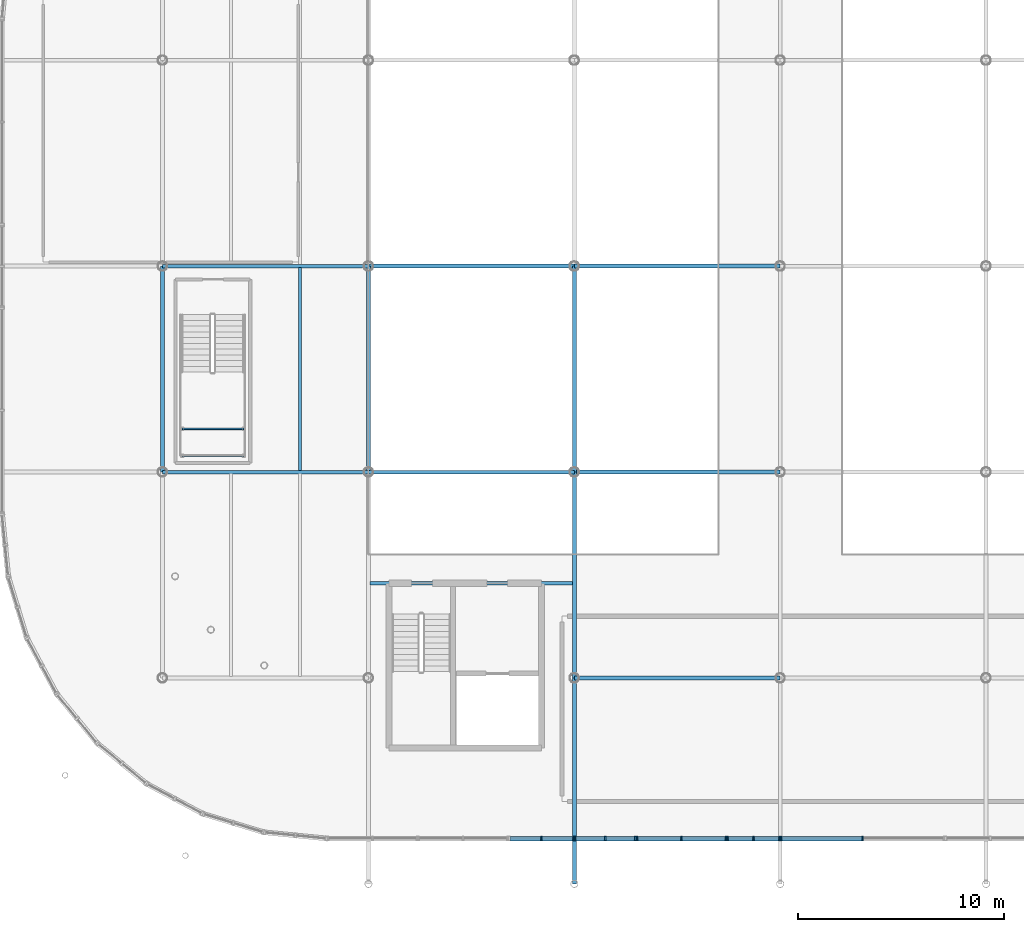
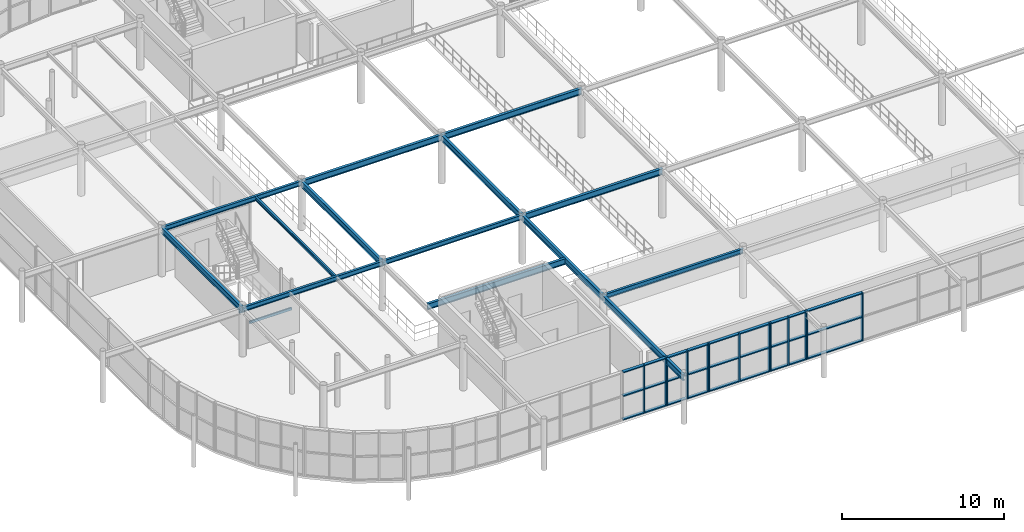
# One storey, part 44 of 98: 40 members, 16 beams, 5 elements without a shape of their own.
"""IFC4 building model written with IfcOpenShell, lengths in metres."""

from ifc_helpers import new_model, si_unit, derived_unit, direction, frame, origin, origin_2d_with_axis, place, context, subcontext, project, spatial, rectangle, hollow_rectangle, i_section, extrude, material, material_profile, profile_set, type_object, element, aggregate, save


model = new_model("IFC4")

# Units and contexts
model_context = context("Model", 3, precision=1e-05, world=origin(), true_north=direction((0.0, 1.0)))
body_context = subcontext(model_context, "Body", "Model", "MODEL_VIEW")
ifc_project = project(units=[si_unit("LENGTHUNIT", "METRE"), si_unit("AREAUNIT", "SQUARE_METRE"), si_unit("VOLUMEUNIT", "CUBIC_METRE"), si_unit("PLANEANGLEUNIT", "RADIAN"), si_unit("MASSUNIT", "GRAM", prefix="KILO"), derived_unit("THERMALTRANSMITTANCEUNIT", [(si_unit("POWERUNIT", "WATT"), 1), (si_unit("LENGTHUNIT", "METRE"), -2), (si_unit("THERMODYNAMICTEMPERATUREUNIT", "KELVIN"), -1)])], contexts=[model_context])

# Site, building, storey
site_placement = place(None, origin())
site = spatial("IfcSite", under=ifc_project, at=site_placement, CompositionType="ELEMENT")
building_placement = place(site_placement, origin())
building = spatial("IfcBuilding", under=site, at=building_placement, Name="Cinnabar Yard Market Hall", CompositionType="ELEMENT")
storey_placement = place(building_placement, frame((0.0, 0.0, 4.5)))
storey = spatial("IfcBuildingStorey", under=building, at=storey_placement, Name="L01", CompositionType="ELEMENT", Elevation=4.5)

# Beams
ifc_material_1 = material(Name="Steel Grade 300 (300 MPa)", Category="steel")
ifc_material_profile_1 = material_profile(ifc_material_1, i_section(OverallWidth=0.19091796875, OverallDepth=0.46044921875, WebThickness=0.010009765625, FlangeThickness=0.01611328125, FilletRadius=0.011474609375, at=origin_2d_with_axis()), Name="460UB82.1")
ifc_profile_set_1 = profile_set([ifc_material_profile_1], Name="Steel Grade 300 (300 MPa)")
beam_type_1 = type_object("IfcBeamType", Name="BM-B04", PredefinedType="BEAM", material=ifc_profile_set_1)
beam_1_placement = place(storey_placement, frame((96.0, 44.0, 3.419921875), z_axis=(1.0, 0.0, 0.0), x_axis=(0.0, 1.0, 0.0)))
element("IfcBeam", 1, at=beam_1_placement, inside=storey, type_object=beam_type_1, Name="L01 Gallery Girder X 00261", PredefinedType="BEAM", context=body_context, shape_type="SweptSolid", body=[
    extrude(i_section(OverallWidth=0.19091796875, OverallDepth=0.46044921875, WebThickness=0.010009765625, FlangeThickness=0.01611328125, FilletRadius=0.011474609375, at=origin_2d_with_axis()), origin(), (0.0, 0.0, 1.0), 10.0),
])
ifc_material_profile_2 = material_profile(ifc_material_1, i_section(OverallWidth=0.18994140625, OverallDepth=0.453857421875, WebThickness=0.008544921875, FlangeThickness=0.0126953125, FilletRadius=0.011474609375, at=origin_2d_with_axis()), Name="460UB67.1")
ifc_profile_set_2 = profile_set([ifc_material_profile_2], Name="Steel Grade 300 (300 MPa)")
beam_type_2 = type_object("IfcBeamType", Name="BM-B05", PredefinedType="BEAM", material=ifc_profile_set_2)
beam_2_placement = place(storey_placement, frame((86.080078125, 28.60009765625, 3.423095703125), z_axis=(1.0, 0.0, 0.0), x_axis=(0.0, 1.0, 0.0)))
element("IfcBeam", 2, at=beam_2_placement, inside=storey, type_object=beam_type_2, Name="L01 Core Trimmer Girder 00136", PredefinedType="BEAM", context=body_context, shape_type="SweptSolid", body=[
    extrude(i_section(OverallWidth=0.18994140625, OverallDepth=0.453857421875, WebThickness=0.008544921875, FlangeThickness=0.0126953125, FilletRadius=0.011474609375, at=origin_2d_with_axis()), origin(), (0.0, 0.0, 1.0), 9.83984375),
])
for number, where, z_axis, x_axis, name in (
    (3, (76.0, 34.0, 3.423095703125), (0.0, 1.0, 0.0), (-1.0, 0.0, 0.0), "L01 Gallery Girder Y 00310"),
    (4, (86.0, 34.0, 3.423095703125), (0.0, 1.0, 0.0), (-1.0, 0.0, 0.0), "L01 Gallery Girder Y 00319"),
    (5, (96.0, 24.0, 3.423095703125), (0.0, 1.0, 0.0), (-1.0, 0.0, 0.0), "L01 Gallery Girder Y 00322"),
    (6, (96.0, 34.0, 3.423095703125), (0.0, 1.0, 0.0), (-1.0, 0.0, 0.0), "L01 Gallery Girder Y 00323"),
):
    element("IfcBeam", number, at=place(storey_placement, frame(where, z_axis=z_axis, x_axis=x_axis)), inside=storey, type_object=beam_type_2, Name=name, PredefinedType="BEAM", context=body_context, shape_type="SweptSolid", body=[
        extrude(i_section(OverallWidth=0.18994140625, OverallDepth=0.453857421875, WebThickness=0.008544921875, FlangeThickness=0.0126953125, FilletRadius=0.011474609375, at=origin_2d_with_axis()), origin(), (0.0, 0.0, 1.0), 10.0),
    ])
ifc_material_profile_3 = material_profile(ifc_material_1, i_section(OverallWidth=0.18994140625, OverallDepth=0.453857421875, WebThickness=0.008544921875, FlangeThickness=0.0126953125, FilletRadius=0.011474609375, at=origin_2d_with_axis()), Name="460UB67.1")
ifc_profile_set_3 = profile_set([ifc_material_profile_3], Name="Steel Grade 300 (300 MPa)")
beam_type_3 = type_object("IfcBeamType", Name="BM-B05E", PredefinedType="BEAM", material=ifc_profile_set_3)
beam_3_placement = place(storey_placement, frame((96.0, 24.0, 3.423095703125), z_axis=(0.0, -1.0, 0.0), x_axis=(1.0, 0.0, 0.0)))
element("IfcBeam", 7, at=beam_3_placement, inside=storey, type_object=beam_type_3, Name="L01 Gallery South Tie 00289", PredefinedType="BEAM", context=body_context, shape_type="SweptSolid", body=[
    extrude(i_section(OverallWidth=0.18994140625, OverallDepth=0.453857421875, WebThickness=0.008544921875, FlangeThickness=0.0126953125, FilletRadius=0.011474609375, at=origin_2d_with_axis()), origin(), (0.0, 0.0, 1.0), 10.0),
])
ifc_material_profile_4 = material_profile(ifc_material_1, i_section(OverallWidth=0.1708984375, OverallDepth=0.355712890625, WebThickness=0.00732421875, FlangeThickness=0.011474609375, FilletRadius=0.011474609375, at=origin_2d_with_axis()), Name="360UB50.7")
ifc_profile_set_4 = profile_set([ifc_material_profile_4], Name="Steel Grade 300 (300 MPa)")
beam_type_4 = type_object("IfcBeamType", Name="BM-B10", PredefinedType="BEAM", material=ifc_profile_set_4)
beam_4_placement = place(storey_placement, frame((76.0, 34.0, 3.47216796875), z_axis=(1.0, 0.0, 0.0), x_axis=(0.0, 1.0, 0.0)))
element("IfcBeam", 8, at=beam_4_placement, inside=storey, type_object=beam_type_4, Name="L01 Gallery Girder X 00252", PredefinedType="BEAM", context=body_context, shape_type="SweptSolid", body=[
    extrude(i_section(OverallWidth=0.1708984375, OverallDepth=0.355712890625, WebThickness=0.00732421875, FlangeThickness=0.011474609375, FilletRadius=0.011474609375, at=origin_2d_with_axis()), origin(), (0.0, 0.0, 1.0), 10.0),
])
ifc_material_profile_5 = material_profile(ifc_material_1, i_section(OverallWidth=0.1708984375, OverallDepth=0.35205078125, WebThickness=0.0068359375, FlangeThickness=0.009765625, FilletRadius=0.011474609375, at=origin_2d_with_axis()), Name="360UB44.7")
ifc_profile_set_5 = profile_set([ifc_material_profile_5], Name="Steel Grade 300 (300 MPa)")
beam_type_5 = type_object("IfcBeamType", Name="BM-B11", PredefinedType="BEAM", material=ifc_profile_set_5)
for number, where, z_axis, x_axis, name in (
    (9, (76.0, 44.0, 3.47412109375), (1.0, 0.0, 0.0), (0.0, 1.0, 0.0), "L01 Gallery Girder X 00253"),
    (10, (86.0, 34.0, 3.47412109375), (1.0, 0.0, 0.0), (0.0, 1.0, 0.0), "L01 Gallery Girder X 00256"),
    (11, (96.0, 24.0, 3.47412109375), (1.0, 0.0, 0.0), (0.0, 1.0, 0.0), "L01 Gallery Girder X 00259"),
):
    element("IfcBeam", number, at=place(storey_placement, frame(where, z_axis=z_axis, x_axis=x_axis)), inside=storey, type_object=beam_type_5, Name=name, PredefinedType="BEAM", context=body_context, shape_type="SweptSolid", body=[
        extrude(i_section(OverallWidth=0.1708984375, OverallDepth=0.35205078125, WebThickness=0.0068359375, FlangeThickness=0.009765625, FilletRadius=0.011474609375, at=origin_2d_with_axis()), origin(), (0.0, 0.0, 1.0), 10.0),
    ])
ifc_material_profile_6 = material_profile(ifc_material_1, i_section(OverallWidth=0.18994140625, OverallDepth=0.453857421875, WebThickness=0.008544921875, FlangeThickness=0.0126953125, FilletRadius=0.011474609375, at=origin_2d_with_axis()), Name="460UB67.1")
ifc_profile_set_6 = profile_set([ifc_material_profile_6], Name="Steel Grade 300 (300 MPa)")
beam_type_6 = type_object("IfcBeamType", Name="BM-B14", PredefinedType="BEAM", material=ifc_profile_set_6)
for number, where, z_axis, x_axis, name in (
    (12, (86.0, 44.0, 3.423095703125), (1.0, 0.0, 0.0), (0.0, 1.0, 0.0), "L01 Gallery Girder X 00257"),
    (13, (96.0, 34.0, 3.423095703125), (1.0, 0.0, 0.0), (0.0, 1.0, 0.0), "L01 Gallery Girder X 00260"),
):
    element("IfcBeam", number, at=place(storey_placement, frame(where, z_axis=z_axis, x_axis=x_axis)), inside=storey, type_object=beam_type_6, Name=name, PredefinedType="BEAM", context=body_context, shape_type="SweptSolid", body=[
        extrude(i_section(OverallWidth=0.18994140625, OverallDepth=0.453857421875, WebThickness=0.008544921875, FlangeThickness=0.0126953125, FilletRadius=0.011474609375, at=origin_2d_with_axis()), origin(), (0.0, 0.0, 1.0), 10.0),
    ])
ifc_material_profile_7 = material_profile(ifc_material_1, i_section(OverallWidth=0.14599609375, OverallDepth=0.256103515625, WebThickness=0.00634765625, FlangeThickness=0.010986328125, FilletRadius=0.0087890625, at=origin_2d_with_axis()), Name="250UB37.3")
ifc_profile_set_7 = profile_set([ifc_material_profile_7], Name="Steel Grade 300 (300 MPa)")
beam_type_7 = type_object("IfcBeamType", Name="BM-J03", PredefinedType="JOIST", material=ifc_profile_set_7)
beam_5_placement = place(storey_placement, frame((82.669921875, 34.074951171875, 3.52197265625), z_axis=(0.0, 1.0, 0.0), x_axis=(-1.0, 0.0, 0.0)))
element("IfcBeam", 14, at=beam_5_placement, inside=storey, type_object=beam_type_7, Name="L01 Gallery Joist 00311", PredefinedType="JOIST", context=body_context, shape_type="SweptSolid", body=[
    extrude(i_section(OverallWidth=0.14599609375, OverallDepth=0.256103515625, WebThickness=0.00634765625, FlangeThickness=0.010986328125, FilletRadius=0.0087890625, at=origin_2d_with_axis()), origin(), (0.0, 0.0, 1.0), 9.85009765625),
])
ifc_material_2 = material(Name="Cold-formed steel C350L0", Category="steel")
ifc_material_profile_8 = material_profile(ifc_material_2, hollow_rectangle(XDim=0.10009765625, YDim=0.199951171875, WallThickness=0.006103515625, InnerFilletRadius=0.006103515625, OuterFilletRadius=0.011962890625, at=origin_2d_with_axis()), Name="200x100x6.0RHS")
ifc_profile_set_8 = profile_set([ifc_material_profile_8], Name="Cold-formed steel C350L0")
beam_type_8 = type_object("IfcBeamType", Name="BM-LN01", PredefinedType="LINTEL", material=ifc_profile_set_8)
for number, where, z_axis, x_axis, name in (
    (15, (76.949951171875, 34.800048828125, 1.64990234375), (1.0, 0.0, 0.0), (0.0, 1.0, 0.0), "Feature Stair Landing Beam S ST-F1 L01"),
    (16, (76.949951171875, 36.10009765625, 1.64990234375), (1.0, 0.0, 0.0), (0.0, 1.0, 0.0), "Feature Stair Landing Beam N ST-F1 L01"),
):
    element("IfcBeam", number, at=place(storey_placement, frame(where, z_axis=z_axis, x_axis=x_axis)), inside=storey, type_object=beam_type_8, Name=name, PredefinedType="LINTEL", context=body_context, shape_type="SweptSolid", body=[
        extrude(hollow_rectangle(XDim=0.10009765625, YDim=0.199951171875, WallThickness=0.006103515625, InnerFilletRadius=0.006103515625, OuterFilletRadius=0.011962890625, at=origin_2d_with_axis()), origin(), (0.0, 0.0, 1.0), 3.0),
    ])

# Curtain wall, members
ifc_material_3 = material(Name="Anodised bronze aluminium and low-E glass", Category="aluminium")
curtain_wall_type_1 = type_object("IfcCurtainWallType", Name="CW-CWH032x36", PredefinedType="NOTDEFINED", material=ifc_material_3)
curtain_wall_1_placement = place(storey_placement, origin())
curtain_wall_1 = element("IfcCurtainWall", 17, at=curtain_wall_1_placement, inside=storey, type_object=curtain_wall_type_1, Name="Market Hall South Gallery Glazing B1B", PredefinedType="NOTDEFINED")
ifc_material_4 = material(Name="Anodised bronze aluminium", Category="aluminium")
ifc_material_profile_9 = material_profile(ifc_material_4, rectangle(XDim=0.219970703125, YDim=0.080078125, at=origin_2d_with_axis()), Name="MUL-CWH")
ifc_profile_set_9 = profile_set([ifc_material_profile_9], Name="Anodised bronze aluminium")
member_type_1 = type_object("IfcMemberType", Name="CWM-CWH", PredefinedType="MULLION", material=ifc_profile_set_9)
member_1_placement = place(storey_placement, frame((94.39990234375, 16.199951171875, 0.0), z_axis=(0.0, 0.0, 1.0), x_axis=(0.0, 1.0, 0.0)))
member_1 = element("IfcMember", 18, at=member_1_placement, type_object=member_type_1, Name="CWH032x36 mullion 2", PredefinedType="MULLION", context=body_context, shape_type="SweptSolid", body=[
    extrude(rectangle(XDim=0.219970703125, YDim=0.080078125, at=origin_2d_with_axis()), origin(), (0.0, 0.0, 1.0), 3.64990234375),
])
member_2_placement = place(storey_placement, frame((95.9599609375, 16.199951171875, 0.0), z_axis=(0.0, 0.0, 1.0), x_axis=(0.0, 1.0, 0.0)))
member_2 = element("IfcMember", 19, at=member_2_placement, type_object=member_type_1, Name="CWH032x36 mullion 3", PredefinedType="MULLION", context=body_context, shape_type="SweptSolid", body=[
    extrude(rectangle(XDim=0.219970703125, YDim=0.080078125, at=origin_2d_with_axis()), origin(), (0.0, 0.0, 1.0), 3.64990234375),
])

curtain_wall_type_2 = type_object("IfcCurtainWallType", Name="CW-CWH030x36", PredefinedType="NOTDEFINED", material=ifc_material_3)
curtain_wall_2_placement = place(storey_placement, origin())
curtain_wall_2 = element("IfcCurtainWall", 20, at=curtain_wall_2_placement, inside=storey, type_object=curtain_wall_type_2, Name="Market Hall South Gallery Glazing B2A", PredefinedType="NOTDEFINED")
member_3_placement = place(storey_placement, frame((96.0400390625, 16.199951171875, 0.0), z_axis=(0.0, 0.0, 1.0), x_axis=(0.0, 1.0, 0.0)))
member_3 = element("IfcMember", 21, at=member_3_placement, type_object=member_type_1, Name="CWH030x36 mullion 1", PredefinedType="MULLION", context=body_context, shape_type="SweptSolid", body=[
    extrude(rectangle(XDim=0.219970703125, YDim=0.080078125, at=origin_2d_with_axis()), origin(), (0.0, 0.0, 1.0), 3.64990234375),
])
member_4_placement = place(storey_placement, frame((97.5, 16.199951171875, 0.0), z_axis=(0.0, 0.0, 1.0), x_axis=(0.0, 1.0, 0.0)))
member_4 = element("IfcMember", 22, at=member_4_placement, type_object=member_type_1, Name="CWH030x36 mullion 2", PredefinedType="MULLION", context=body_context, shape_type="SweptSolid", body=[
    extrude(rectangle(XDim=0.219970703125, YDim=0.080078125, at=origin_2d_with_axis()), origin(), (0.0, 0.0, 1.0), 3.64990234375),
])
member_5_placement = place(storey_placement, frame((98.9599609375, 16.199951171875, 0.0), z_axis=(0.0, 0.0, 1.0), x_axis=(0.0, 1.0, 0.0)))
member_5 = element("IfcMember", 23, at=member_5_placement, type_object=member_type_1, Name="CWH030x36 mullion 3", PredefinedType="MULLION", context=body_context, shape_type="SweptSolid", body=[
    extrude(rectangle(XDim=0.219970703125, YDim=0.080078125, at=origin_2d_with_axis()), origin(), (0.0, 0.0, 1.0), 3.64990234375),
])

curtain_wall_type_3 = type_object("IfcCurtainWallType", Name="CW-CWH044x36", PredefinedType="NOTDEFINED", material=ifc_material_3)
curtain_wall_3_placement = place(storey_placement, origin())
curtain_wall_3 = element("IfcCurtainWall", 24, at=curtain_wall_3_placement, inside=storey, type_object=curtain_wall_type_3, Name="Market Hall South Gallery Glazing PTB2", PredefinedType="NOTDEFINED")
member_6_placement = place(storey_placement, frame((99.0400390625, 16.199951171875, 0.0), z_axis=(0.0, 0.0, 1.0), x_axis=(0.0, 1.0, 0.0)))
member_6 = element("IfcMember", 25, at=member_6_placement, type_object=member_type_1, Name="CWH044x36 mullion 1", PredefinedType="MULLION", context=body_context, shape_type="SweptSolid", body=[
    extrude(rectangle(XDim=0.219970703125, YDim=0.080078125, at=origin_2d_with_axis()), origin(), (0.0, 0.0, 1.0), 3.64990234375),
])
member_7_placement = place(storey_placement, frame((101.199951171875, 16.199951171875, 0.0), z_axis=(0.0, 0.0, 1.0), x_axis=(0.0, 1.0, 0.0)))
member_7 = element("IfcMember", 26, at=member_7_placement, type_object=member_type_1, Name="CWH044x36 mullion 2", PredefinedType="MULLION", context=body_context, shape_type="SweptSolid", body=[
    extrude(rectangle(XDim=0.219970703125, YDim=0.080078125, at=origin_2d_with_axis()), origin(), (0.0, 0.0, 1.0), 3.64990234375),
])
member_8_placement = place(storey_placement, frame((103.360107421875, 16.199951171875, 0.0), z_axis=(0.0, 0.0, 1.0), x_axis=(0.0, 1.0, 0.0)))
member_8 = element("IfcMember", 27, at=member_8_placement, type_object=member_type_1, Name="CWH044x36 mullion 3", PredefinedType="MULLION", context=body_context, shape_type="SweptSolid", body=[
    extrude(rectangle(XDim=0.219970703125, YDim=0.080078125, at=origin_2d_with_axis()), origin(), (0.0, 0.0, 1.0), 3.64990234375),
])

curtain_wall_type_4 = type_object("IfcCurtainWallType", Name="CW-CWH026x36", PredefinedType="NOTDEFINED", material=ifc_material_3)
curtain_wall_4_placement = place(storey_placement, origin())
curtain_wall_4 = element("IfcCurtainWall", 28, at=curtain_wall_4_placement, inside=storey, type_object=curtain_wall_type_4, Name="Market Hall South Gallery Glazing B2B", PredefinedType="NOTDEFINED")
member_9_placement = place(storey_placement, frame((103.43994140625, 16.199951171875, 0.0), z_axis=(0.0, 0.0, 1.0), x_axis=(0.0, 1.0, 0.0)))
member_9 = element("IfcMember", 29, at=member_9_placement, type_object=member_type_1, Name="CWH026x36 mullion 1", PredefinedType="MULLION", context=body_context, shape_type="SweptSolid", body=[
    extrude(rectangle(XDim=0.219970703125, YDim=0.080078125, at=origin_2d_with_axis()), origin(), (0.0, 0.0, 1.0), 3.64990234375),
])
member_10_placement = place(storey_placement, frame((104.699951171875, 16.199951171875, 0.0), z_axis=(0.0, 0.0, 1.0), x_axis=(0.0, 1.0, 0.0)))
member_10 = element("IfcMember", 30, at=member_10_placement, type_object=member_type_1, Name="CWH026x36 mullion 2", PredefinedType="MULLION", context=body_context, shape_type="SweptSolid", body=[
    extrude(rectangle(XDim=0.219970703125, YDim=0.080078125, at=origin_2d_with_axis()), origin(), (0.0, 0.0, 1.0), 3.64990234375),
])
member_11_placement = place(storey_placement, frame((105.9599609375, 16.199951171875, 0.0), z_axis=(0.0, 0.0, 1.0), x_axis=(0.0, 1.0, 0.0)))
member_11 = element("IfcMember", 31, at=member_11_placement, type_object=member_type_1, Name="CWH026x36 mullion 3", PredefinedType="MULLION", context=body_context, shape_type="SweptSolid", body=[
    extrude(rectangle(XDim=0.219970703125, YDim=0.080078125, at=origin_2d_with_axis()), origin(), (0.0, 0.0, 1.0), 3.64990234375),
])

curtain_wall_type_5 = type_object("IfcCurtainWallType", Name="CW-CWH080x36", PredefinedType="NOTDEFINED", material=ifc_material_3)
curtain_wall_5_placement = place(storey_placement, origin())
curtain_wall_5 = element("IfcCurtainWall", 32, at=curtain_wall_5_placement, inside=storey, type_object=curtain_wall_type_5, Name="Market Hall South Gallery Glazing B3", PredefinedType="NOTDEFINED")
member_12_placement = place(storey_placement, frame((106.0400390625, 16.199951171875, 0.0), z_axis=(0.0, 0.0, 1.0), x_axis=(0.0, 1.0, 0.0)))
member_12 = element("IfcMember", 33, at=member_12_placement, type_object=member_type_1, Name="CWH080x36 mullion 1", PredefinedType="MULLION", context=body_context, shape_type="SweptSolid", body=[
    extrude(rectangle(XDim=0.219970703125, YDim=0.080078125, at=origin_2d_with_axis()), origin(), (0.0, 0.0, 1.0), 3.64990234375),
])
member_13_placement = place(storey_placement, frame((110.0, 16.199951171875, 0.0), z_axis=(0.0, 0.0, 1.0), x_axis=(0.0, 1.0, 0.0)))
member_13 = element("IfcMember", 34, at=member_13_placement, type_object=member_type_1, Name="CWH080x36 mullion 2", PredefinedType="MULLION", context=body_context, shape_type="SweptSolid", body=[
    extrude(rectangle(XDim=0.219970703125, YDim=0.080078125, at=origin_2d_with_axis()), origin(), (0.0, 0.0, 1.0), 3.64990234375),
])

# Member
ifc_material_profile_10 = material_profile(ifc_material_4, rectangle(XDim=0.219970703125, YDim=0.080078125, at=origin_2d_with_axis()), Name="TRN-CWH")
ifc_profile_set_10 = profile_set([ifc_material_profile_10], Name="Anodised bronze aluminium")
member_type_2 = type_object("IfcMemberType", Name="CWT-CWH", PredefinedType="USERDEFINED", material=ifc_profile_set_10)
member_14_placement = place(storey_placement, frame((92.8798828125, 16.199951171875, 0.0400390625), z_axis=(1.0, 0.0, 0.0), x_axis=(0.0, 1.0, 0.0)))
member_14 = element("IfcMember", 35, at=member_14_placement, type_object=member_type_2, Name="CWH032x36 transom 1.1", ObjectType="TRANSOM", PredefinedType="USERDEFINED", context=body_context, shape_type="SweptSolid", body=[
    extrude(rectangle(XDim=0.219970703125, YDim=0.080078125, at=origin_2d_with_axis()), origin(), (0.0, 0.0, 1.0), 1.480224609375),
])

member_15_placement = place(storey_placement, frame((92.8798828125, 16.199951171875, 1.824951171875), z_axis=(1.0, 0.0, 0.0), x_axis=(0.0, 1.0, 0.0)))
member_15 = element("IfcMember", 36, at=member_15_placement, type_object=member_type_2, Name="CWH032x36 transom 1.2", ObjectType="TRANSOM", PredefinedType="USERDEFINED", context=body_context, shape_type="SweptSolid", body=[
    extrude(rectangle(XDim=0.219970703125, YDim=0.080078125, at=origin_2d_with_axis()), origin(), (0.0, 0.0, 1.0), 1.480224609375),
])

member_16_placement = place(storey_placement, frame((92.8798828125, 16.199951171875, 3.610107421875), z_axis=(1.0, 0.0, 0.0), x_axis=(0.0, 1.0, 0.0)))
member_16 = element("IfcMember", 37, at=member_16_placement, type_object=member_type_2, Name="CWH032x36 transom 1.3", ObjectType="TRANSOM", PredefinedType="USERDEFINED", context=body_context, shape_type="SweptSolid", body=[
    extrude(rectangle(XDim=0.219970703125, YDim=0.080078125, at=origin_2d_with_axis()), origin(), (0.0, 0.0, 1.0), 1.480224609375),
])

member_17_placement = place(storey_placement, frame((94.43994140625, 16.199951171875, 0.0400390625), z_axis=(1.0, 0.0, 0.0), x_axis=(0.0, 1.0, 0.0)))
member_17 = element("IfcMember", 38, at=member_17_placement, type_object=member_type_2, Name="CWH032x36 transom 2.1", ObjectType="TRANSOM", PredefinedType="USERDEFINED", context=body_context, shape_type="SweptSolid", body=[
    extrude(rectangle(XDim=0.219970703125, YDim=0.080078125, at=origin_2d_with_axis()), origin(), (0.0, 0.0, 1.0), 1.47998046875),
])

member_18_placement = place(storey_placement, frame((94.43994140625, 16.199951171875, 1.824951171875), z_axis=(1.0, 0.0, 0.0), x_axis=(0.0, 1.0, 0.0)))
member_18 = element("IfcMember", 39, at=member_18_placement, type_object=member_type_2, Name="CWH032x36 transom 2.2", ObjectType="TRANSOM", PredefinedType="USERDEFINED", context=body_context, shape_type="SweptSolid", body=[
    extrude(rectangle(XDim=0.219970703125, YDim=0.080078125, at=origin_2d_with_axis()), origin(), (0.0, 0.0, 1.0), 1.47998046875),
])

member_19_placement = place(storey_placement, frame((94.43994140625, 16.199951171875, 3.610107421875), z_axis=(1.0, 0.0, 0.0), x_axis=(0.0, 1.0, 0.0)))
member_19 = element("IfcMember", 40, at=member_19_placement, type_object=member_type_2, Name="CWH032x36 transom 2.3", ObjectType="TRANSOM", PredefinedType="USERDEFINED", context=body_context, shape_type="SweptSolid", body=[
    extrude(rectangle(XDim=0.219970703125, YDim=0.080078125, at=origin_2d_with_axis()), origin(), (0.0, 0.0, 1.0), 1.47998046875),
])

aggregate(curtain_wall_1, [member_1, member_2, member_14, member_15, member_16, member_17, member_18, member_19])

member_20_placement = place(storey_placement, frame((96.080078125, 16.199951171875, 0.0400390625), z_axis=(1.0, 0.0, 0.0), x_axis=(0.0, 1.0, 0.0)))
member_20 = element("IfcMember", 41, at=member_20_placement, type_object=member_type_2, Name="CWH030x36 transom 1.1", ObjectType="TRANSOM", PredefinedType="USERDEFINED", context=body_context, shape_type="SweptSolid", body=[
    extrude(rectangle(XDim=0.219970703125, YDim=0.080078125, at=origin_2d_with_axis()), origin(), (0.0, 0.0, 1.0), 1.3798828125),
])

member_21_placement = place(storey_placement, frame((96.080078125, 16.199951171875, 1.824951171875), z_axis=(1.0, 0.0, 0.0), x_axis=(0.0, 1.0, 0.0)))
member_21 = element("IfcMember", 42, at=member_21_placement, type_object=member_type_2, Name="CWH030x36 transom 1.2", ObjectType="TRANSOM", PredefinedType="USERDEFINED", context=body_context, shape_type="SweptSolid", body=[
    extrude(rectangle(XDim=0.219970703125, YDim=0.080078125, at=origin_2d_with_axis()), origin(), (0.0, 0.0, 1.0), 1.3798828125),
])

member_22_placement = place(storey_placement, frame((96.080078125, 16.199951171875, 3.610107421875), z_axis=(1.0, 0.0, 0.0), x_axis=(0.0, 1.0, 0.0)))
member_22 = element("IfcMember", 43, at=member_22_placement, type_object=member_type_2, Name="CWH030x36 transom 1.3", ObjectType="TRANSOM", PredefinedType="USERDEFINED", context=body_context, shape_type="SweptSolid", body=[
    extrude(rectangle(XDim=0.219970703125, YDim=0.080078125, at=origin_2d_with_axis()), origin(), (0.0, 0.0, 1.0), 1.3798828125),
])

member_23_placement = place(storey_placement, frame((97.5400390625, 16.199951171875, 0.0400390625), z_axis=(1.0, 0.0, 0.0), x_axis=(0.0, 1.0, 0.0)))
member_23 = element("IfcMember", 44, at=member_23_placement, type_object=member_type_2, Name="CWH030x36 transom 2.1", ObjectType="TRANSOM", PredefinedType="USERDEFINED", context=body_context, shape_type="SweptSolid", body=[
    extrude(rectangle(XDim=0.219970703125, YDim=0.080078125, at=origin_2d_with_axis()), origin(), (0.0, 0.0, 1.0), 1.3798828125),
])

member_24_placement = place(storey_placement, frame((97.5400390625, 16.199951171875, 1.824951171875), z_axis=(1.0, 0.0, 0.0), x_axis=(0.0, 1.0, 0.0)))
member_24 = element("IfcMember", 45, at=member_24_placement, type_object=member_type_2, Name="CWH030x36 transom 2.2", ObjectType="TRANSOM", PredefinedType="USERDEFINED", context=body_context, shape_type="SweptSolid", body=[
    extrude(rectangle(XDim=0.219970703125, YDim=0.080078125, at=origin_2d_with_axis()), origin(), (0.0, 0.0, 1.0), 1.3798828125),
])

member_25_placement = place(storey_placement, frame((97.5400390625, 16.199951171875, 3.610107421875), z_axis=(1.0, 0.0, 0.0), x_axis=(0.0, 1.0, 0.0)))
member_25 = element("IfcMember", 46, at=member_25_placement, type_object=member_type_2, Name="CWH030x36 transom 2.3", ObjectType="TRANSOM", PredefinedType="USERDEFINED", context=body_context, shape_type="SweptSolid", body=[
    extrude(rectangle(XDim=0.219970703125, YDim=0.080078125, at=origin_2d_with_axis()), origin(), (0.0, 0.0, 1.0), 1.3798828125),
])

aggregate(curtain_wall_2, [member_3, member_4, member_5, member_20, member_21, member_22, member_23, member_24, member_25])

member_26_placement = place(storey_placement, frame((99.080078125, 16.199951171875, 0.0400390625), z_axis=(1.0, 0.0, 0.0), x_axis=(0.0, 1.0, 0.0)))
member_26 = element("IfcMember", 47, at=member_26_placement, type_object=member_type_2, Name="CWH044x36 transom 1.1", ObjectType="TRANSOM", PredefinedType="USERDEFINED", context=body_context, shape_type="SweptSolid", body=[
    extrude(rectangle(XDim=0.219970703125, YDim=0.080078125, at=origin_2d_with_axis()), origin(), (0.0, 0.0, 1.0), 2.079833984375),
])

member_27_placement = place(storey_placement, frame((99.080078125, 16.199951171875, 1.824951171875), z_axis=(1.0, 0.0, 0.0), x_axis=(0.0, 1.0, 0.0)))
member_27 = element("IfcMember", 48, at=member_27_placement, type_object=member_type_2, Name="CWH044x36 transom 1.2", ObjectType="TRANSOM", PredefinedType="USERDEFINED", context=body_context, shape_type="SweptSolid", body=[
    extrude(rectangle(XDim=0.219970703125, YDim=0.080078125, at=origin_2d_with_axis()), origin(), (0.0, 0.0, 1.0), 2.079833984375),
])

member_28_placement = place(storey_placement, frame((99.080078125, 16.199951171875, 3.610107421875), z_axis=(1.0, 0.0, 0.0), x_axis=(0.0, 1.0, 0.0)))
member_28 = element("IfcMember", 49, at=member_28_placement, type_object=member_type_2, Name="CWH044x36 transom 1.3", ObjectType="TRANSOM", PredefinedType="USERDEFINED", context=body_context, shape_type="SweptSolid", body=[
    extrude(rectangle(XDim=0.219970703125, YDim=0.080078125, at=origin_2d_with_axis()), origin(), (0.0, 0.0, 1.0), 2.079833984375),
])

member_29_placement = place(storey_placement, frame((101.239990234375, 16.199951171875, 0.0400390625), z_axis=(1.0, 0.0, 0.0), x_axis=(0.0, 1.0, 0.0)))
member_29 = element("IfcMember", 50, at=member_29_placement, type_object=member_type_2, Name="CWH044x36 transom 2.1", ObjectType="TRANSOM", PredefinedType="USERDEFINED", context=body_context, shape_type="SweptSolid", body=[
    extrude(rectangle(XDim=0.219970703125, YDim=0.080078125, at=origin_2d_with_axis()), origin(), (0.0, 0.0, 1.0), 2.080078125),
])

member_30_placement = place(storey_placement, frame((101.239990234375, 16.199951171875, 1.824951171875), z_axis=(1.0, 0.0, 0.0), x_axis=(0.0, 1.0, 0.0)))
member_30 = element("IfcMember", 51, at=member_30_placement, type_object=member_type_2, Name="CWH044x36 transom 2.2", ObjectType="TRANSOM", PredefinedType="USERDEFINED", context=body_context, shape_type="SweptSolid", body=[
    extrude(rectangle(XDim=0.219970703125, YDim=0.080078125, at=origin_2d_with_axis()), origin(), (0.0, 0.0, 1.0), 2.080078125),
])

member_31_placement = place(storey_placement, frame((101.239990234375, 16.199951171875, 3.610107421875), z_axis=(1.0, 0.0, 0.0), x_axis=(0.0, 1.0, 0.0)))
member_31 = element("IfcMember", 52, at=member_31_placement, type_object=member_type_2, Name="CWH044x36 transom 2.3", ObjectType="TRANSOM", PredefinedType="USERDEFINED", context=body_context, shape_type="SweptSolid", body=[
    extrude(rectangle(XDim=0.219970703125, YDim=0.080078125, at=origin_2d_with_axis()), origin(), (0.0, 0.0, 1.0), 2.080078125),
])

aggregate(curtain_wall_3, [member_6, member_7, member_8, member_26, member_27, member_28, member_29, member_30, member_31])

member_32_placement = place(storey_placement, frame((103.47998046875, 16.199951171875, 0.0400390625), z_axis=(1.0, 0.0, 0.0), x_axis=(0.0, 1.0, 0.0)))
member_32 = element("IfcMember", 53, at=member_32_placement, type_object=member_type_2, Name="CWH026x36 transom 1.1", ObjectType="TRANSOM", PredefinedType="USERDEFINED", context=body_context, shape_type="SweptSolid", body=[
    extrude(rectangle(XDim=0.219970703125, YDim=0.080078125, at=origin_2d_with_axis()), origin(), (0.0, 0.0, 1.0), 1.179931640625),
])

member_33_placement = place(storey_placement, frame((103.47998046875, 16.199951171875, 1.824951171875), z_axis=(1.0, 0.0, 0.0), x_axis=(0.0, 1.0, 0.0)))
member_33 = element("IfcMember", 54, at=member_33_placement, type_object=member_type_2, Name="CWH026x36 transom 1.2", ObjectType="TRANSOM", PredefinedType="USERDEFINED", context=body_context, shape_type="SweptSolid", body=[
    extrude(rectangle(XDim=0.219970703125, YDim=0.080078125, at=origin_2d_with_axis()), origin(), (0.0, 0.0, 1.0), 1.179931640625),
])

member_34_placement = place(storey_placement, frame((103.47998046875, 16.199951171875, 3.610107421875), z_axis=(1.0, 0.0, 0.0), x_axis=(0.0, 1.0, 0.0)))
member_34 = element("IfcMember", 55, at=member_34_placement, type_object=member_type_2, Name="CWH026x36 transom 1.3", ObjectType="TRANSOM", PredefinedType="USERDEFINED", context=body_context, shape_type="SweptSolid", body=[
    extrude(rectangle(XDim=0.219970703125, YDim=0.080078125, at=origin_2d_with_axis()), origin(), (0.0, 0.0, 1.0), 1.179931640625),
])

member_35_placement = place(storey_placement, frame((104.739990234375, 16.199951171875, 0.0400390625), z_axis=(1.0, 0.0, 0.0), x_axis=(0.0, 1.0, 0.0)))
member_35 = element("IfcMember", 56, at=member_35_placement, type_object=member_type_2, Name="CWH026x36 transom 2.1", ObjectType="TRANSOM", PredefinedType="USERDEFINED", context=body_context, shape_type="SweptSolid", body=[
    extrude(rectangle(XDim=0.219970703125, YDim=0.080078125, at=origin_2d_with_axis()), origin(), (0.0, 0.0, 1.0), 1.179931640625),
])

member_36_placement = place(storey_placement, frame((104.739990234375, 16.199951171875, 1.824951171875), z_axis=(1.0, 0.0, 0.0), x_axis=(0.0, 1.0, 0.0)))
member_36 = element("IfcMember", 57, at=member_36_placement, type_object=member_type_2, Name="CWH026x36 transom 2.2", ObjectType="TRANSOM", PredefinedType="USERDEFINED", context=body_context, shape_type="SweptSolid", body=[
    extrude(rectangle(XDim=0.219970703125, YDim=0.080078125, at=origin_2d_with_axis()), origin(), (0.0, 0.0, 1.0), 1.179931640625),
])

member_37_placement = place(storey_placement, frame((104.739990234375, 16.199951171875, 3.610107421875), z_axis=(1.0, 0.0, 0.0), x_axis=(0.0, 1.0, 0.0)))
member_37 = element("IfcMember", 58, at=member_37_placement, type_object=member_type_2, Name="CWH026x36 transom 2.3", ObjectType="TRANSOM", PredefinedType="USERDEFINED", context=body_context, shape_type="SweptSolid", body=[
    extrude(rectangle(XDim=0.219970703125, YDim=0.080078125, at=origin_2d_with_axis()), origin(), (0.0, 0.0, 1.0), 1.179931640625),
])

aggregate(curtain_wall_4, [member_9, member_10, member_11, member_32, member_33, member_34, member_35, member_36, member_37])

member_38_placement = place(storey_placement, frame((106.080078125, 16.199951171875, 0.0400390625), z_axis=(1.0, 0.0, 0.0), x_axis=(0.0, 1.0, 0.0)))
member_38 = element("IfcMember", 59, at=member_38_placement, type_object=member_type_2, Name="CWH080x36 transom 1.1", ObjectType="TRANSOM", PredefinedType="USERDEFINED", context=body_context, shape_type="SweptSolid", body=[
    extrude(rectangle(XDim=0.219970703125, YDim=0.080078125, at=origin_2d_with_axis()), origin(), (0.0, 0.0, 1.0), 3.8798828125),
])

member_39_placement = place(storey_placement, frame((106.080078125, 16.199951171875, 1.824951171875), z_axis=(1.0, 0.0, 0.0), x_axis=(0.0, 1.0, 0.0)))
member_39 = element("IfcMember", 60, at=member_39_placement, type_object=member_type_2, Name="CWH080x36 transom 1.2", ObjectType="TRANSOM", PredefinedType="USERDEFINED", context=body_context, shape_type="SweptSolid", body=[
    extrude(rectangle(XDim=0.219970703125, YDim=0.080078125, at=origin_2d_with_axis()), origin(), (0.0, 0.0, 1.0), 3.8798828125),
])

member_40_placement = place(storey_placement, frame((106.080078125, 16.199951171875, 3.610107421875), z_axis=(1.0, 0.0, 0.0), x_axis=(0.0, 1.0, 0.0)))
member_40 = element("IfcMember", 61, at=member_40_placement, type_object=member_type_2, Name="CWH080x36 transom 1.3", ObjectType="TRANSOM", PredefinedType="USERDEFINED", context=body_context, shape_type="SweptSolid", body=[
    extrude(rectangle(XDim=0.219970703125, YDim=0.080078125, at=origin_2d_with_axis()), origin(), (0.0, 0.0, 1.0), 3.8798828125),
])

aggregate(curtain_wall_5, [member_12, member_13, member_38, member_39, member_40])

save(model, "model.ifc")
